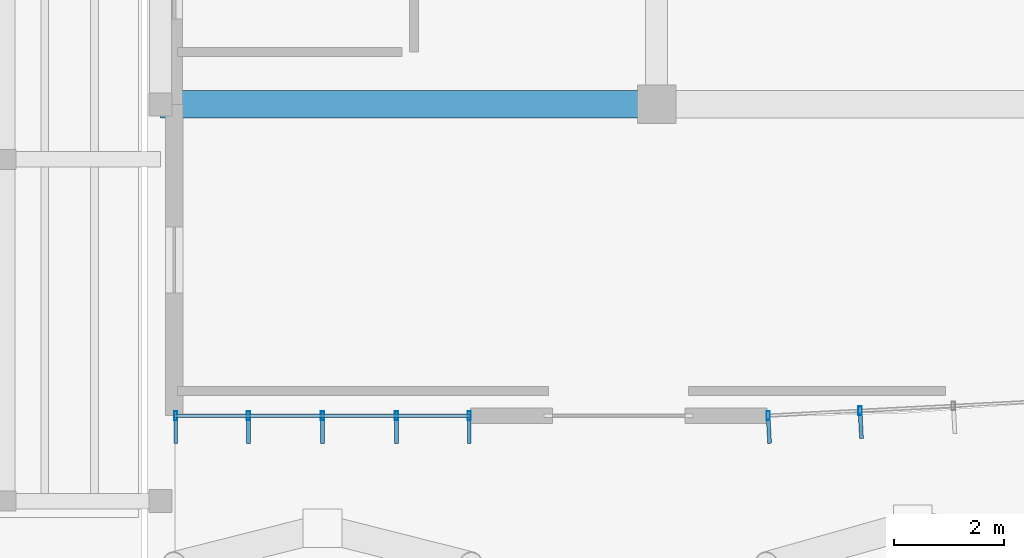
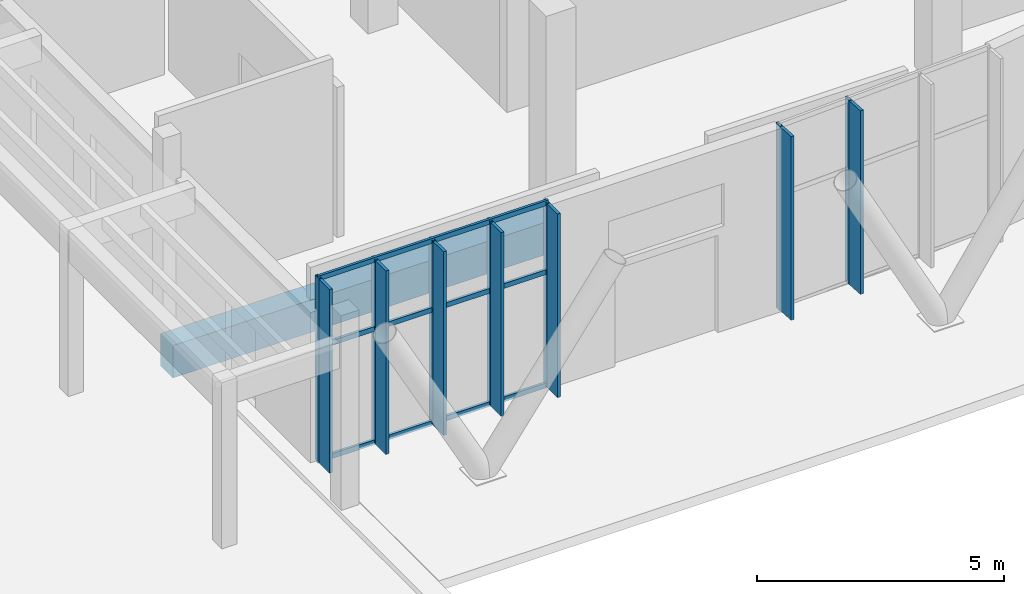
# One storey, part 37 of 151: 17 members, 1 beam, 2 elements without a shape of their own.
"""IFC4 building model written with IfcOpenShell, lengths in metres."""

from ifc_helpers import new_model, si_unit, direction, frame, origin, origin_2d, place, context, subcontext, project, spatial, rectangle, hollow_rectangle, extrude, material, material_profile, profile_set, type_object, element, aggregate, save


model = new_model("IFC4")

# Units and contexts
model_context = context("Model", 3, precision=1e-05, world=origin(), true_north=direction((0.0, 1.0)))
body_context = subcontext(model_context, "Body", "Model", "MODEL_VIEW")
ifc_project = project(units=[si_unit("LENGTHUNIT", "METRE"), si_unit("AREAUNIT", "SQUARE_METRE"), si_unit("VOLUMEUNIT", "CUBIC_METRE"), si_unit("PLANEANGLEUNIT", "RADIAN"), si_unit("MASSUNIT", "GRAM", prefix="KILO")], contexts=[model_context])

# Site, building, storey
site_placement = place(None, origin())
site = spatial("IfcSite", under=ifc_project, at=site_placement, CompositionType="ELEMENT")
building_placement = place(site_placement, origin())
building = spatial("IfcBuilding", under=site, at=building_placement, Name="Chiffa Square Polytechnic", CompositionType="ELEMENT")
storey_placement = place(building_placement, origin())
storey = spatial("IfcBuildingStorey", under=building, at=storey_placement, Name="L00", CompositionType="ELEMENT", Elevation=0.0)

# Beam
ifc_material_1 = material(Name="Concrete C40/50", Category="concrete")
ifc_material_profile_1 = material_profile(ifc_material_1, rectangle(XDim=0.5, YDim=0.800048828125, at=origin_2d()), Name="RC 500x800")
ifc_profile_set_1 = profile_set([ifc_material_profile_1], Name="Concrete C40/50")
beam_type = type_object("IfcBeamType", Name="BM-RC-500X800", PredefinedType="BEAM", material=ifc_profile_set_1)
beam_placement = place(storey_placement, frame((112.199951171875, 14.39990234375, -0.75), z_axis=(1.0, 0.0, 0.0), x_axis=(0.0, 1.0, 0.0)))
element("IfcBeam", 1, at=beam_placement, inside=storey, type_object=beam_type, Name="Primary floor girder BM-V1-L00-X-1122-0144", PredefinedType="BEAM", context=body_context, shape_type="SweptSolid", body=[
    extrude(rectangle(XDim=0.5, YDim=0.800048828125, at=origin_2d()), origin(), (0.0, 0.0, 1.0), 9.0),
])

# Curtain wall, members
ifc_material_2 = material(Name="Aluminium EN AW-6060 T66 and glulam shading", Category="wood")
curtain_wall_type_1 = type_object("IfcCurtainWallType", Name="CW-VERT-600X440", PredefinedType="USERDEFINED", material=ifc_material_2)
curtain_wall_1_placement = place(storey_placement, origin())
curtain_wall_1 = element("IfcCurtainWall", 2, at=curtain_wall_1_placement, inside=storey, type_object=curtain_wall_type_1, Name="Curtain wall CW-V1-L00-001", ObjectType="CURTAIN WALL", PredefinedType="USERDEFINED")
ifc_material_3 = material(Name="Aluminium EN AW-6060 T66", Category="aluminium")
ifc_material_profile_2 = material_profile(ifc_material_3, hollow_rectangle(XDim=0.06005859375, YDim=0.159912109375, WallThickness=0.00390625, at=origin_2d()), Name="ALU 60x160x4")
ifc_profile_set_2 = profile_set([ifc_material_profile_2], Name="Aluminium EN AW-6060 T66")
member_type_1 = type_object("IfcMemberType", Name="CWM-ALU-65X150", PredefinedType="MULLION", material=ifc_profile_set_2)
member_1_placement = place(storey_placement, frame((112.47509765625, 8.75, -0.02001953125), z_axis=(0.0, 0.0, 1.0), x_axis=(1.0, 0.0, 0.0)))
member_1 = element("IfcMember", 3, at=member_1_placement, type_object=member_type_1, Name="Curtain wall mullion CW-V1-L00-001-M00", PredefinedType="MULLION", context=body_context, shape_type="SweptSolid", body=[
    extrude(hollow_rectangle(XDim=0.06005859375, YDim=0.159912109375, WallThickness=0.00390625, at=origin_2d()), origin(), (0.0, 0.0, 1.0), 4.554931640625),
])
member_2_placement = place(storey_placement, frame((113.7939453125, 8.75, -0.02001953125), z_axis=(0.0, 0.0, 1.0), x_axis=(1.0, 0.0, 0.0)))
member_2 = element("IfcMember", 4, at=member_2_placement, type_object=member_type_1, Name="Curtain wall mullion CW-V1-L00-001-M01", PredefinedType="MULLION", context=body_context, shape_type="SweptSolid", body=[
    extrude(hollow_rectangle(XDim=0.06005859375, YDim=0.159912109375, WallThickness=0.00390625, at=origin_2d()), origin(), (0.0, 0.0, 1.0), 4.554931640625),
])
member_3_placement = place(storey_placement, frame((115.137939453125, 8.75, -0.02001953125), z_axis=(0.0, 0.0, 1.0), x_axis=(1.0, 0.0, 0.0)))
member_3 = element("IfcMember", 5, at=member_3_placement, type_object=member_type_1, Name="Curtain wall mullion CW-V1-L00-001-M02", PredefinedType="MULLION", context=body_context, shape_type="SweptSolid", body=[
    extrude(hollow_rectangle(XDim=0.06005859375, YDim=0.159912109375, WallThickness=0.00390625, at=origin_2d()), origin(), (0.0, 0.0, 1.0), 4.554931640625),
])
member_4_placement = place(storey_placement, frame((116.48095703125, 8.75, -0.02001953125), z_axis=(0.0, 0.0, 1.0), x_axis=(1.0, 0.0, 0.0)))
member_4 = element("IfcMember", 6, at=member_4_placement, type_object=member_type_1, Name="Curtain wall mullion CW-V1-L00-001-M03", PredefinedType="MULLION", context=body_context, shape_type="SweptSolid", body=[
    extrude(hollow_rectangle(XDim=0.06005859375, YDim=0.159912109375, WallThickness=0.00390625, at=origin_2d()), origin(), (0.0, 0.0, 1.0), 4.554931640625),
])
member_5_placement = place(storey_placement, frame((117.800048828125, 8.75, -0.02001953125), z_axis=(0.0, 0.0, 1.0), x_axis=(1.0, 0.0, 0.0)))
member_5 = element("IfcMember", 7, at=member_5_placement, type_object=member_type_1, Name="Curtain wall mullion CW-V1-L00-001-M04", PredefinedType="MULLION", context=body_context, shape_type="SweptSolid", body=[
    extrude(hollow_rectangle(XDim=0.06005859375, YDim=0.159912109375, WallThickness=0.00390625, at=origin_2d()), origin(), (0.0, 0.0, 1.0), 4.554931640625),
])

curtain_wall_type_2 = type_object("IfcCurtainWallType", Name="CW-VERT-450X380", PredefinedType="USERDEFINED", material=ifc_material_2)
curtain_wall_2_placement = place(storey_placement, origin())
curtain_wall_2 = element("IfcCurtainWall", 8, at=curtain_wall_2_placement, inside=storey, type_object=curtain_wall_type_2, Name="Curtain wall CW-V1-L00-002", ObjectType="CURTAIN WALL", PredefinedType="USERDEFINED")
member_6_placement = place(storey_placement, frame((123.22509765625, 8.7509765625, -0.02001953125), z_axis=(0.0, 0.0, 1.0), x_axis=(1.0, 0.0, 0.0)))
member_6 = element("IfcMember", 9, at=member_6_placement, type_object=member_type_1, Name="Curtain wall mullion CW-V1-L00-002-M00", PredefinedType="MULLION", context=body_context, shape_type="SweptSolid", body=[
    extrude(hollow_rectangle(XDim=0.06005859375, YDim=0.159912109375, WallThickness=0.00390625, at=origin_2d()), origin(), (0.0, 0.0, 1.0), 4.554931640625),
])
member_7_placement = place(storey_placement, frame((124.89306640625, 8.839111328125, -0.02001953125), z_axis=(0.0, 0.0, 1.0), x_axis=(1.0, 0.0, 0.0)))
member_7 = element("IfcMember", 10, at=member_7_placement, type_object=member_type_1, Name="Curtain wall mullion CW-V1-L00-002-M01", PredefinedType="MULLION", context=body_context, shape_type="SweptSolid", body=[
    extrude(hollow_rectangle(XDim=0.06005859375, YDim=0.159912109375, WallThickness=0.00390625, at=origin_2d()), origin(), (0.0, 0.0, 1.0), 4.554931640625),
])

# Member
ifc_material_4 = material(Name="Glulam GL28h", Category="wood")
ifc_material_profile_3 = material_profile(ifc_material_4, rectangle(XDim=0.070068359375, YDim=0.419921875, at=origin_2d()), Name="GL28h 70x420")
ifc_profile_set_3 = profile_set([ifc_material_profile_3], Name="Glulam GL28h")
member_type_2 = type_object("IfcMemberType", Name="CWM-GL-70X420", PredefinedType="MULLION", material=ifc_profile_set_3)
member_8_placement = place(storey_placement, frame((112.47509765625, 8.4580078125, -0.010009765625), z_axis=(0.0, 0.0, 1.0), x_axis=(1.0, 0.0, 0.0)))
member_8 = element("IfcMember", 11, at=member_8_placement, type_object=member_type_2, Name="Exterior glulam solar fin CW-V1-L00-001-FN00", PredefinedType="MULLION", context=body_context, shape_type="SweptSolid", body=[
    extrude(rectangle(XDim=0.070068359375, YDim=0.419921875, at=origin_2d()), origin(), (0.0, 0.0, 1.0), 4.534912109375),
])

member_9_placement = place(storey_placement, frame((113.7939453125, 8.4580078125, -0.010009765625), z_axis=(0.0, 0.0, 1.0), x_axis=(1.0, 0.0, 0.0)))
member_9 = element("IfcMember", 12, at=member_9_placement, type_object=member_type_2, Name="Exterior glulam solar fin CW-V1-L00-001-FN01", PredefinedType="MULLION", context=body_context, shape_type="SweptSolid", body=[
    extrude(rectangle(XDim=0.070068359375, YDim=0.419921875, at=origin_2d()), origin(), (0.0, 0.0, 1.0), 4.534912109375),
])

member_10_placement = place(storey_placement, frame((115.137939453125, 8.4580078125, -0.010009765625), z_axis=(0.0, 0.0, 1.0), x_axis=(1.0, 0.0, 0.0)))
member_10 = element("IfcMember", 13, at=member_10_placement, type_object=member_type_2, Name="Exterior glulam solar fin CW-V1-L00-001-FN02", PredefinedType="MULLION", context=body_context, shape_type="SweptSolid", body=[
    extrude(rectangle(XDim=0.070068359375, YDim=0.419921875, at=origin_2d()), origin(), (0.0, 0.0, 1.0), 4.534912109375),
])

member_11_placement = place(storey_placement, frame((116.48095703125, 8.4580078125, -0.010009765625), z_axis=(0.0, 0.0, 1.0), x_axis=(1.0, 0.0, 0.0)))
member_11 = element("IfcMember", 14, at=member_11_placement, type_object=member_type_2, Name="Exterior glulam solar fin CW-V1-L00-001-FN03", PredefinedType="MULLION", context=body_context, shape_type="SweptSolid", body=[
    extrude(rectangle(XDim=0.070068359375, YDim=0.419921875, at=origin_2d()), origin(), (0.0, 0.0, 1.0), 4.534912109375),
])

member_12_placement = place(storey_placement, frame((117.800048828125, 8.4580078125, -0.010009765625), z_axis=(0.0, 0.0, 1.0), x_axis=(1.0, 0.0, 0.0)))
member_12 = element("IfcMember", 15, at=member_12_placement, type_object=member_type_2, Name="Exterior glulam solar fin CW-V1-L00-001-FN04", PredefinedType="MULLION", context=body_context, shape_type="SweptSolid", body=[
    extrude(rectangle(XDim=0.070068359375, YDim=0.419921875, at=origin_2d()), origin(), (0.0, 0.0, 1.0), 4.534912109375),
])

member_13_placement = place(storey_placement, frame((123.239990234375, 8.458984375, -0.010009765625), z_axis=(0.0, 0.0, 1.0), x_axis=(0.99863227369, 0.052283668051, 0.0)))
member_13 = element("IfcMember", 16, at=member_13_placement, type_object=member_type_2, Name="Exterior glulam solar fin CW-V1-L00-002-FN00", PredefinedType="MULLION", context=body_context, shape_type="SweptSolid", body=[
    extrude(rectangle(XDim=0.070068359375, YDim=0.419921875, at=origin_2d()), origin(), (0.0, 0.0, 1.0), 4.534912109375),
])

member_14_placement = place(storey_placement, frame((124.907958984375, 8.547119140625, -0.010009765625), z_axis=(0.0, 0.0, 1.0), x_axis=(0.99863227369, 0.052283668051, 0.0)))
member_14 = element("IfcMember", 17, at=member_14_placement, type_object=member_type_2, Name="Exterior glulam solar fin CW-V1-L00-002-FN01", PredefinedType="MULLION", context=body_context, shape_type="SweptSolid", body=[
    extrude(rectangle(XDim=0.070068359375, YDim=0.419921875, at=origin_2d()), origin(), (0.0, 0.0, 1.0), 4.534912109375),
])

aggregate(curtain_wall_2, [member_6, member_13, member_7, member_14])

ifc_material_profile_4 = material_profile(ifc_material_3, hollow_rectangle(XDim=0.06005859375, YDim=0.1201171875, WallThickness=0.00390625, at=origin_2d()), Name="ALU 60x120x4")
ifc_profile_set_4 = profile_set([ifc_material_profile_4], Name="Aluminium EN AW-6060 T66")
member_type_3 = type_object("IfcMemberType", Name="CWT-ALU-65X120", PredefinedType="USERDEFINED", material=ifc_profile_set_4)
member_15_placement = place(storey_placement, frame((112.447998046875, 8.75, 0.010009765625), z_axis=(1.0, 0.0, 0.0), x_axis=(0.0, 1.0, 0.0)))
member_15 = element("IfcMember", 18, at=member_15_placement, type_object=member_type_3, Name="Curtain wall transom CW-V1-L00-001-T01", ObjectType="TRANSOM", PredefinedType="USERDEFINED", context=body_context, shape_type="SweptSolid", body=[
    extrude(hollow_rectangle(XDim=0.06005859375, YDim=0.1201171875, WallThickness=0.00390625, at=origin_2d()), origin(), (0.0, 0.0, 1.0), 5.37890625),
])

member_16_placement = place(storey_placement, frame((112.447998046875, 8.75, 2.803955078125), z_axis=(1.0, 0.0, 0.0), x_axis=(0.0, 1.0, 0.0)))
member_16 = element("IfcMember", 19, at=member_16_placement, type_object=member_type_3, Name="Curtain wall transom CW-V1-L00-001-T02", ObjectType="TRANSOM", PredefinedType="USERDEFINED", context=body_context, shape_type="SweptSolid", body=[
    extrude(hollow_rectangle(XDim=0.06005859375, YDim=0.1201171875, WallThickness=0.00390625, at=origin_2d()), origin(), (0.0, 0.0, 1.0), 5.37890625),
])

member_17_placement = place(storey_placement, frame((112.447998046875, 8.75, 4.5048828125), z_axis=(1.0, 0.0, 0.0), x_axis=(0.0, 1.0, 0.0)))
member_17 = element("IfcMember", 20, at=member_17_placement, type_object=member_type_3, Name="Curtain wall transom CW-V1-L00-001-T03", ObjectType="TRANSOM", PredefinedType="USERDEFINED", context=body_context, shape_type="SweptSolid", body=[
    extrude(hollow_rectangle(XDim=0.06005859375, YDim=0.1201171875, WallThickness=0.00390625, at=origin_2d()), origin(), (0.0, 0.0, 1.0), 5.37890625),
])

aggregate(curtain_wall_1, [member_1, member_8, member_2, member_9, member_3, member_10, member_4, member_11, member_5, member_12, member_15, member_16, member_17])

save(model, "model.ifc")
